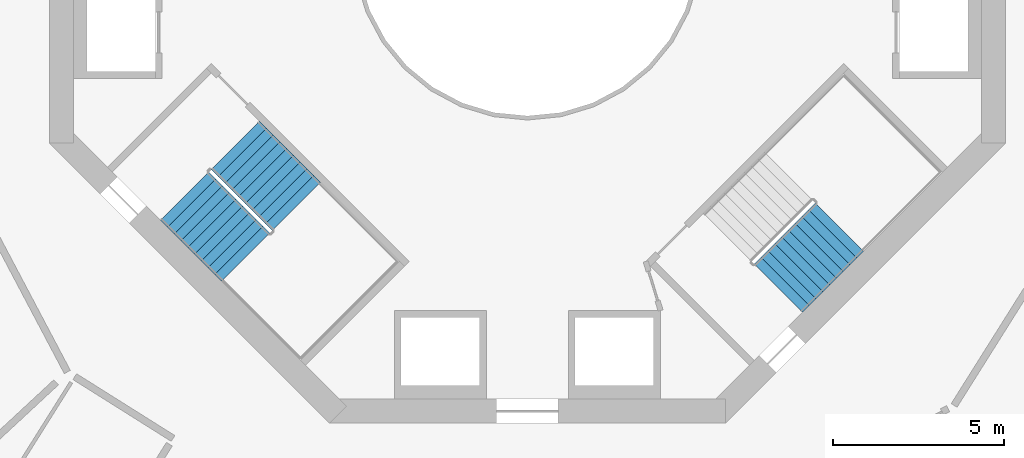
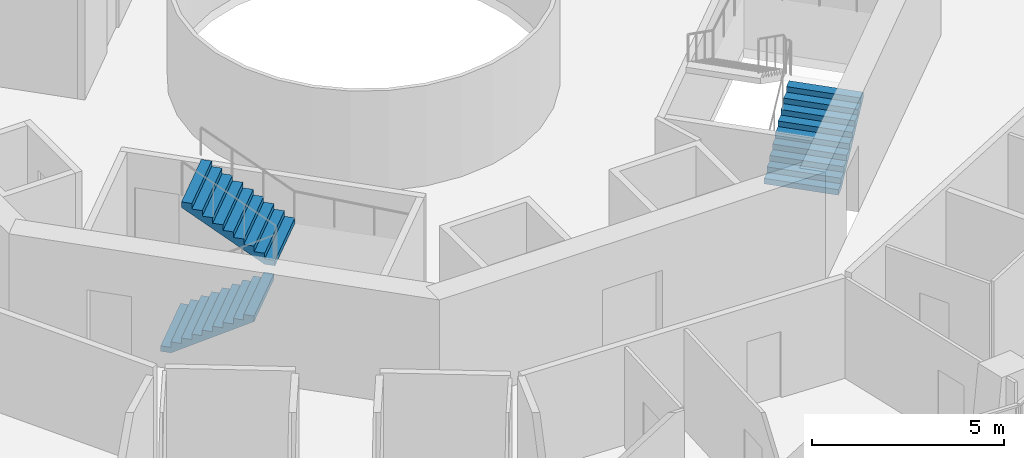
# One storey, part 21 of 23: 3 stair flights, 2 elements without a shape of their own.
"""IFC4 building model written with IfcOpenShell, lengths in metres."""

from ifc_helpers import new_model, si_unit, direction, frame, origin, place, context, subcontext, project, spatial, triangles, material, type_object, element, aggregate, save


model = new_model("IFC4")

# Units and contexts
model_context = context("Model", 3, precision=1e-05, world=origin(), true_north=direction((0.0, 1.0)))
body_context = subcontext(model_context, "Body", "Model", "MODEL_VIEW")
ifc_project = project(units=[si_unit("LENGTHUNIT", "METRE"), si_unit("AREAUNIT", "SQUARE_METRE"), si_unit("VOLUMEUNIT", "CUBIC_METRE"), si_unit("PLANEANGLEUNIT", "RADIAN"), si_unit("MASSUNIT", "GRAM", prefix="KILO")], contexts=[model_context])

# Site, building, storey
site_placement = place(None, origin())
site = spatial("IfcSite", under=ifc_project, at=site_placement, CompositionType="ELEMENT")
building_placement = place(site_placement, origin())
building = spatial("IfcBuilding", under=site, at=building_placement, Name="Verdalira Terraces Hotel", CompositionType="ELEMENT")
storey_placement = place(building_placement, frame((0.0, 0.0, 147.0)))
storey = spatial("IfcBuildingStorey", under=building, at=storey_placement, Name="L35", CompositionType="ELEMENT", Elevation=147.0)

# Stair, stair flights
ifc_material_1 = material(Name="Concrete C40", Category="concrete")
stair_type = type_object("IfcStairType", Name="Core stair 20 risers 2000 mm wide", PredefinedType="HALF_TURN_STAIR", material=ifc_material_1)
stair_1_placement = place(storey_placement, origin())
stair_1 = element("IfcStair", 1, at=stair_1_placement, inside=storey, type_object=stair_type, Name="L35 Exit stair ST2", PredefinedType="HALF_TURN_STAIR")
ifc_material_2 = material(Name="Concrete C40", Category="concrete")
stair_flight_type = type_object("IfcStairFlightType", Name="Core stair flight 20 risers 2000 mm wide", PredefinedType="STRAIGHT", material=ifc_material_2)
stair_flight_1_placement = place(storey_placement, frame((-10.041016, -7.354004, 0.0), z_axis=(0.0, 0.0, 1.0), x_axis=(0.707106781, -0.707106781, 0.0)))
stair_flight_1 = element("IfcStairFlight", 2, at=stair_flight_1_placement, type_object=stair_flight_type, Name="ST2 flight 1", NumberOfRisers=10, NumberOfTreads=9, PredefinedType="STRAIGHT", RiserHeight=0.175, TreadLength=0.28, context=body_context, shape_type="Tessellation", body=[
    triangles([(0.0, 1.0, 0.0), (0.282715, 1.0, 0.0), (2.52002, 1.0, 1.398193), (0.0, -1.0, 0.0), (0.282715, -1.0, 0.0), (2.52002, -1.0, 1.398193), (2.52002, 1.0, 1.574951), (2.23999, 1.0, 1.574951), (2.52002, -1.0, 1.574951), (2.23999, -1.0, 1.574951), (2.23999, 1.0, 1.399902), (2.23999, -1.0, 1.399902), (1.959961, 1.0, 1.399902), (1.959961, -1.0, 1.399902), (1.959961, 1.0, 1.225098), (1.959961, -1.0, 1.225098), (1.679932, 1.0, 1.225098), (1.679932, 1.0, 1.050049), (1.679932, -1.0, 1.225098), (1.679932, -1.0, 1.050049), (1.399902, 1.0, 1.050049), (1.399902, 1.0, 0.875), (1.399902, -1.0, 1.050049), (1.399902, -1.0, 0.875), (1.120117, 1.0, 0.875), (1.120117, 1.0, 0.699951), (1.120117, -1.0, 0.875), (1.120117, -1.0, 0.699951), (0.840088, 1.0, 0.699951), (0.840088, 1.0, 0.524902), (0.840088, -1.0, 0.699951), (0.840088, -1.0, 0.524902), (0.560059, 1.0, 0.524902), (0.560059, 1.0, 0.350098), (0.560059, -1.0, 0.524902), (0.560059, -1.0, 0.350098), (0.280029, 1.0, 0.350098), (0.280029, 1.0, 0.175049), (0.280029, -1.0, 0.350098), (0.280029, -1.0, 0.175049), (0.0, 1.0, 0.175049), (0.0, -1.0, 0.175049), (0.0, -0.9375, 0.0), (0.0, -0.9375, 0.175049), (0.0, -0.875, 0.0), (0.0, -0.875, 0.175049), (0.0, -0.8125, 0.0), (0.0, -0.8125, 0.175049), (0.0, -0.75, 0.0), (0.0, -0.75, 0.175049), (0.0, -0.6875, 0.0), (0.0, -0.6875, 0.175049), (0.0, -0.625, 0.0), (0.0, -0.625, 0.175049), (0.0, -0.5625, 0.0), (0.0, -0.5625, 0.175049), (0.0, -0.5, 0.0), (0.0, -0.5, 0.175049), (0.0, -0.4375, 0.0), (0.0, -0.4375, 0.175049), (0.0, -0.375, 0.0), (0.0, -0.375, 0.175049), (0.0, -0.3125, 0.0), (0.0, -0.3125, 0.175049), (0.0, -0.25, 0.0), (0.0, -0.25, 0.175049), (0.0, -0.1875, 0.0), (0.0, -0.1875, 0.175049), (0.0, -0.125, 0.0), (0.0, -0.125, 0.175049), (0.0, -0.0625, 0.0), (0.0, -0.0625, 0.175049), (0.0, 0.0, 0.0), (0.0, 0.0, 0.175049), (0.0, 0.0625, 0.0), (0.0, 0.0625, 0.175049), (0.0, 0.125, 0.0), (0.0, 0.125, 0.175049), (0.0, 0.1875, 0.0), (0.0, 0.1875, 0.175049), (0.0, 0.25, 0.0), (0.0, 0.25, 0.175049), (0.0, 0.3125, 0.0), (0.0, 0.3125, 0.175049), (0.0, 0.375, 0.0), (0.0, 0.375, 0.175049), (0.0, 0.4375, 0.0), (0.0, 0.4375, 0.175049), (0.0, 0.5, 0.0), (0.0, 0.5, 0.175049), (0.0, 0.5625, 0.0), (0.0, 0.5625, 0.175049), (0.0, 0.625, 0.0), (0.0, 0.625, 0.175049), (0.0, 0.6875, 0.0), (0.0, 0.6875, 0.175049), (0.0, 0.75, 0.0), (0.0, 0.75, 0.175049), (0.0, 0.8125, 0.0), (0.0, 0.8125, 0.175049), (0.0, 0.875, 0.0), (0.0, 0.875, 0.175049), (0.0, 0.9375, 0.0), (0.0, 0.9375, 0.175049), (2.52002, -0.9375, 1.574951), (2.52002, -0.875, 1.574951), (2.52002, -0.8125, 1.574951), (2.52002, -0.75, 1.574951), (2.52002, -0.6875, 1.574951), (2.52002, -0.625, 1.574951), (2.52002, -0.5625, 1.574951), (2.52002, -0.5, 1.574951), (2.52002, -0.4375, 1.574951), (2.52002, -0.375, 1.574951), (2.52002, -0.3125, 1.574951), (2.52002, -0.25, 1.574951), (2.52002, -0.1875, 1.574951), (2.52002, -0.125, 1.574951), (2.52002, -0.0625, 1.574951), (2.52002, 0.0, 1.574951), (2.52002, 0.0625, 1.574951), (2.52002, 0.125, 1.574951), (2.52002, 0.1875, 1.574951), (2.52002, 0.25, 1.574951), (2.52002, 0.3125, 1.574951), (2.52002, 0.375, 1.574951), (2.52002, 0.4375, 1.574951), (2.52002, 0.5, 1.574951), (2.52002, 0.5625, 1.574951), (2.52002, 0.625, 1.574951), (2.52002, 0.6875, 1.574951), (2.52002, 0.75, 1.574951), (2.52002, 0.8125, 1.574951), (2.52002, 0.875, 1.574951), (2.52002, 0.9375, 1.574951), (2.52002, -0.9375, 1.398193), (2.52002, -0.875, 1.398193), (2.52002, -0.8125, 1.398193), (2.52002, -0.75, 1.398193), (2.52002, -0.6875, 1.398193), (2.52002, -0.625, 1.398193), (2.52002, -0.5625, 1.398193), (2.52002, -0.5, 1.398193), (2.52002, -0.4375, 1.398193), (2.52002, -0.375, 1.398193), (2.52002, -0.3125, 1.398193), (2.52002, -0.25, 1.398193), (2.52002, -0.1875, 1.398193), (2.52002, -0.125, 1.398193), (2.52002, -0.0625, 1.398193), (2.52002, 0.0, 1.398193), (2.52002, 0.0625, 1.398193), (2.52002, 0.125, 1.398193), (2.52002, 0.1875, 1.398193), (2.52002, 0.25, 1.398193), (2.52002, 0.3125, 1.398193), (2.52002, 0.375, 1.398193), (2.52002, 0.4375, 1.398193), (2.52002, 0.5, 1.398193), (2.52002, 0.5625, 1.398193), (2.52002, 0.625, 1.398193), (2.52002, 0.6875, 1.398193), (2.52002, 0.75, 1.398193), (2.52002, 0.8125, 1.398193), (2.52002, 0.875, 1.398193), (2.52002, 0.9375, 1.398193)], [[1, 3, 2], [4, 5, 6], [3, 8, 7], [6, 9, 10], [3, 11, 8], [6, 10, 12], [3, 13, 11], [6, 12, 14], [3, 15, 13], [6, 14, 16], [15, 18, 17], [16, 19, 20], [3, 18, 15], [6, 16, 20], [18, 22, 21], [20, 23, 24], [3, 22, 18], [6, 20, 24], [22, 26, 25], [24, 27, 28], [3, 26, 22], [6, 24, 28], [26, 30, 29], [28, 31, 32], [3, 30, 26], [6, 28, 32], [1, 30, 3], [4, 6, 32], [30, 34, 33], [32, 35, 36], [34, 38, 37], [36, 39, 40], [30, 38, 34], [32, 36, 40], [1, 38, 30], [4, 32, 40], [38, 1, 41], [40, 42, 4], [4, 44, 43], [4, 42, 44], [43, 46, 45], [43, 44, 46], [45, 48, 47], [45, 46, 48], [47, 50, 49], [47, 48, 50], [49, 52, 51], [49, 50, 52], [51, 54, 53], [51, 52, 54], [53, 56, 55], [53, 54, 56], [55, 58, 57], [55, 56, 58], [57, 60, 59], [57, 58, 60], [59, 62, 61], [59, 60, 62], [61, 64, 63], [61, 62, 64], [63, 66, 65], [63, 64, 66], [65, 68, 67], [65, 66, 68], [67, 70, 69], [67, 68, 70], [69, 72, 71], [69, 70, 72], [71, 74, 73], [71, 72, 74], [73, 76, 75], [73, 74, 76], [75, 78, 77], [75, 76, 78], [77, 80, 79], [77, 78, 80], [79, 82, 81], [79, 80, 82], [81, 84, 83], [81, 82, 84], [83, 86, 85], [83, 84, 86], [85, 88, 87], [85, 86, 88], [87, 90, 89], [87, 88, 90], [89, 92, 91], [89, 90, 92], [91, 94, 93], [91, 92, 94], [93, 96, 95], [93, 94, 96], [95, 98, 97], [95, 96, 98], [97, 100, 99], [97, 98, 100], [99, 102, 101], [99, 100, 102], [101, 104, 103], [101, 102, 104], [103, 41, 1], [103, 104, 41], [42, 40, 44], [44, 40, 46], [46, 40, 48], [48, 40, 50], [50, 40, 52], [52, 40, 54], [54, 40, 56], [56, 40, 58], [58, 40, 60], [60, 40, 62], [62, 40, 64], [64, 40, 66], [66, 40, 68], [68, 40, 70], [70, 40, 72], [72, 40, 74], [74, 40, 76], [76, 40, 78], [78, 40, 80], [80, 40, 82], [82, 40, 84], [84, 40, 86], [86, 40, 88], [88, 40, 90], [90, 40, 92], [92, 40, 94], [94, 40, 96], [96, 40, 98], [98, 40, 100], [100, 40, 102], [102, 40, 104], [104, 40, 41], [41, 40, 38], [40, 37, 38], [40, 39, 37], [39, 34, 37], [39, 36, 34], [36, 33, 34], [36, 35, 33], [35, 30, 33], [35, 32, 30], [32, 29, 30], [32, 31, 29], [31, 26, 29], [31, 28, 26], [28, 25, 26], [28, 27, 25], [27, 22, 25], [27, 24, 22], [24, 21, 22], [24, 23, 21], [23, 18, 21], [23, 20, 18], [20, 17, 18], [20, 19, 17], [19, 15, 17], [19, 16, 15], [16, 13, 15], [16, 14, 13], [14, 11, 13], [14, 12, 11], [12, 8, 11], [12, 10, 8], [9, 105, 10], [105, 106, 10], [106, 107, 10], [107, 108, 10], [108, 109, 10], [109, 110, 10], [110, 111, 10], [111, 112, 10], [112, 113, 10], [113, 114, 10], [114, 115, 10], [115, 116, 10], [116, 117, 10], [117, 118, 10], [118, 119, 10], [119, 120, 10], [120, 121, 10], [121, 122, 10], [122, 123, 10], [123, 124, 10], [124, 125, 10], [125, 126, 10], [126, 127, 10], [127, 128, 10], [128, 129, 10], [129, 130, 10], [130, 131, 10], [131, 132, 10], [132, 133, 10], [133, 134, 10], [134, 135, 10], [135, 7, 10], [7, 8, 10], [9, 136, 105], [9, 6, 136], [105, 137, 106], [105, 136, 137], [106, 138, 107], [106, 137, 138], [107, 139, 108], [107, 138, 139], [108, 140, 109], [108, 139, 140], [109, 141, 110], [109, 140, 141], [110, 142, 111], [110, 141, 142], [111, 143, 112], [111, 142, 143], [112, 144, 113], [112, 143, 144], [113, 145, 114], [113, 144, 145], [114, 146, 115], [114, 145, 146], [115, 147, 116], [115, 146, 147], [116, 148, 117], [116, 147, 148], [117, 149, 118], [117, 148, 149], [118, 150, 119], [118, 149, 150], [119, 151, 120], [119, 150, 151], [120, 152, 121], [120, 151, 152], [121, 153, 122], [121, 152, 153], [122, 154, 123], [122, 153, 154], [123, 155, 124], [123, 154, 155], [124, 156, 125], [124, 155, 156], [125, 157, 126], [125, 156, 157], [126, 158, 127], [126, 157, 158], [127, 159, 128], [127, 158, 159], [128, 160, 129], [128, 159, 160], [129, 161, 130], [129, 160, 161], [130, 162, 131], [130, 161, 162], [131, 163, 132], [131, 162, 163], [132, 164, 133], [132, 163, 164], [133, 165, 134], [133, 164, 165], [134, 166, 135], [134, 165, 166], [135, 3, 7], [135, 166, 3], [6, 5, 136], [136, 5, 137], [137, 5, 138], [138, 5, 139], [139, 5, 140], [140, 5, 141], [141, 5, 142], [142, 5, 143], [143, 5, 144], [144, 5, 145], [145, 5, 146], [146, 5, 147], [147, 5, 148], [148, 5, 149], [149, 5, 150], [150, 5, 151], [151, 5, 152], [152, 5, 153], [153, 5, 154], [154, 5, 155], [155, 5, 156], [156, 5, 157], [157, 5, 158], [158, 5, 159], [159, 5, 160], [160, 5, 161], [161, 5, 162], [162, 5, 163], [163, 5, 164], [164, 5, 165], [165, 5, 166], [166, 5, 3], [3, 5, 2], [4, 43, 5], [43, 45, 5], [45, 47, 5], [47, 49, 5], [49, 51, 5], [51, 53, 5], [53, 55, 5], [55, 57, 5], [57, 59, 5], [59, 61, 5], [61, 63, 5], [63, 65, 5], [65, 67, 5], [67, 69, 5], [69, 71, 5], [71, 73, 5], [73, 75, 5], [75, 77, 5], [77, 79, 5], [79, 81, 5], [81, 83, 5], [83, 85, 5], [85, 87, 5], [87, 89, 5], [89, 91, 5], [91, 93, 5], [93, 95, 5], [95, 97, 5], [97, 99, 5], [99, 101, 5], [101, 103, 5], [103, 1, 5], [1, 2, 5]], closed=True),
])
stair_flight_2_placement = place(storey_placement, frame((-6.77417, -7.650879, 1.75), z_axis=(0.0, 0.0, 1.0), x_axis=(-0.707106781, 0.707106781, 0.0)))
stair_flight_2 = element("IfcStairFlight", 3, at=stair_flight_2_placement, type_object=stair_flight_type, Name="ST2 flight 2", NumberOfRisers=10, NumberOfTreads=9, PredefinedType="STRAIGHT", RiserHeight=0.175, TreadLength=0.28, context=body_context, shape_type="Tessellation", body=[
    triangles([(0.0, 1.0, 0.0), (0.282715, 1.0, 0.0), (2.52002, 1.0, 1.398193), (0.0, -1.0, 0.0), (0.282715, -1.0, 0.0), (2.52002, -1.0, 1.398193), (2.52002, 1.0, 1.574951), (2.23999, 1.0, 1.574951), (2.52002, -1.0, 1.574951), (2.23999, -1.0, 1.574951), (2.23999, 1.0, 1.399902), (2.23999, -1.0, 1.399902), (1.959961, 1.0, 1.399902), (1.959961, -1.0, 1.399902), (1.959961, 1.0, 1.225098), (1.959961, -1.0, 1.225098), (1.679932, 1.0, 1.225098), (1.679932, 1.0, 1.050049), (1.679932, -1.0, 1.225098), (1.679932, -1.0, 1.050049), (1.399902, 1.0, 1.050049), (1.399902, 1.0, 0.875), (1.399902, -1.0, 1.050049), (1.399902, -1.0, 0.875), (1.120117, 1.0, 0.875), (1.120117, 1.0, 0.699951), (1.120117, -1.0, 0.875), (1.120117, -1.0, 0.699951), (0.840088, 1.0, 0.699951), (0.840088, 1.0, 0.524902), (0.840088, -1.0, 0.699951), (0.840088, -1.0, 0.524902), (0.560059, 1.0, 0.524902), (0.560059, 1.0, 0.350098), (0.560059, -1.0, 0.524902), (0.560059, -1.0, 0.350098), (0.280029, 1.0, 0.350098), (0.280029, 1.0, 0.175049), (0.280029, -1.0, 0.350098), (0.280029, -1.0, 0.175049), (0.0, 1.0, 0.175049), (0.0, -1.0, 0.175049), (0.0, -0.9375, 0.0), (0.0, -0.9375, 0.175049), (0.0, -0.875, 0.0), (0.0, -0.875, 0.175049), (0.0, -0.8125, 0.0), (0.0, -0.8125, 0.175049), (0.0, -0.75, 0.0), (0.0, -0.75, 0.175049), (0.0, -0.6875, 0.0), (0.0, -0.6875, 0.175049), (0.0, -0.625, 0.0), (0.0, -0.625, 0.175049), (0.0, -0.5625, 0.0), (0.0, -0.5625, 0.175049), (0.0, -0.5, 0.0), (0.0, -0.5, 0.175049), (0.0, -0.4375, 0.0), (0.0, -0.4375, 0.175049), (0.0, -0.375, 0.0), (0.0, -0.375, 0.175049), (0.0, -0.3125, 0.0), (0.0, -0.3125, 0.175049), (0.0, -0.25, 0.0), (0.0, -0.25, 0.175049), (0.0, -0.1875, 0.0), (0.0, -0.1875, 0.175049), (0.0, -0.125, 0.0), (0.0, -0.125, 0.175049), (0.0, -0.0625, 0.0), (0.0, -0.0625, 0.175049), (0.0, 0.0, 0.0), (0.0, 0.0, 0.175049), (0.0, 0.0625, 0.0), (0.0, 0.0625, 0.175049), (0.0, 0.125, 0.0), (0.0, 0.125, 0.175049), (0.0, 0.1875, 0.0), (0.0, 0.1875, 0.175049), (0.0, 0.25, 0.0), (0.0, 0.25, 0.175049), (0.0, 0.3125, 0.0), (0.0, 0.3125, 0.175049), (0.0, 0.375, 0.0), (0.0, 0.375, 0.175049), (0.0, 0.4375, 0.0), (0.0, 0.4375, 0.175049), (0.0, 0.5, 0.0), (0.0, 0.5, 0.175049), (0.0, 0.5625, 0.0), (0.0, 0.5625, 0.175049), (0.0, 0.625, 0.0), (0.0, 0.625, 0.175049), (0.0, 0.6875, 0.0), (0.0, 0.6875, 0.175049), (0.0, 0.75, 0.0), (0.0, 0.75, 0.175049), (0.0, 0.8125, 0.0), (0.0, 0.8125, 0.175049), (0.0, 0.875, 0.0), (0.0, 0.875, 0.175049), (0.0, 0.9375, 0.0), (0.0, 0.9375, 0.175049), (2.52002, -0.9375, 1.574951), (2.52002, -0.875, 1.574951), (2.52002, -0.8125, 1.574951), (2.52002, -0.75, 1.574951), (2.52002, -0.6875, 1.574951), (2.52002, -0.625, 1.574951), (2.52002, -0.5625, 1.574951), (2.52002, -0.5, 1.574951), (2.52002, -0.4375, 1.574951), (2.52002, -0.375, 1.574951), (2.52002, -0.3125, 1.574951), (2.52002, -0.25, 1.574951), (2.52002, -0.1875, 1.574951), (2.52002, -0.125, 1.574951), (2.52002, -0.0625, 1.574951), (2.52002, 0.0, 1.574951), (2.52002, 0.0625, 1.574951), (2.52002, 0.125, 1.574951), (2.52002, 0.1875, 1.574951), (2.52002, 0.25, 1.574951), (2.52002, 0.3125, 1.574951), (2.52002, 0.375, 1.574951), (2.52002, 0.4375, 1.574951), (2.52002, 0.5, 1.574951), (2.52002, 0.5625, 1.574951), (2.52002, 0.625, 1.574951), (2.52002, 0.6875, 1.574951), (2.52002, 0.75, 1.574951), (2.52002, 0.8125, 1.574951), (2.52002, 0.875, 1.574951), (2.52002, 0.9375, 1.574951), (2.52002, -0.9375, 1.398193), (2.52002, -0.875, 1.398193), (2.52002, -0.8125, 1.398193), (2.52002, -0.75, 1.398193), (2.52002, -0.6875, 1.398193), (2.52002, -0.625, 1.398193), (2.52002, -0.5625, 1.398193), (2.52002, -0.5, 1.398193), (2.52002, -0.4375, 1.398193), (2.52002, -0.375, 1.398193), (2.52002, -0.3125, 1.398193), (2.52002, -0.25, 1.398193), (2.52002, -0.1875, 1.398193), (2.52002, -0.125, 1.398193), (2.52002, -0.0625, 1.398193), (2.52002, 0.0, 1.398193), (2.52002, 0.0625, 1.398193), (2.52002, 0.125, 1.398193), (2.52002, 0.1875, 1.398193), (2.52002, 0.25, 1.398193), (2.52002, 0.3125, 1.398193), (2.52002, 0.375, 1.398193), (2.52002, 0.4375, 1.398193), (2.52002, 0.5, 1.398193), (2.52002, 0.5625, 1.398193), (2.52002, 0.625, 1.398193), (2.52002, 0.6875, 1.398193), (2.52002, 0.75, 1.398193), (2.52002, 0.8125, 1.398193), (2.52002, 0.875, 1.398193), (2.52002, 0.9375, 1.398193)], [[1, 3, 2], [4, 5, 6], [3, 8, 7], [6, 9, 10], [3, 11, 8], [6, 10, 12], [3, 13, 11], [6, 12, 14], [3, 15, 13], [6, 14, 16], [15, 18, 17], [16, 19, 20], [3, 18, 15], [6, 16, 20], [18, 22, 21], [20, 23, 24], [3, 22, 18], [6, 20, 24], [22, 26, 25], [24, 27, 28], [3, 26, 22], [6, 24, 28], [26, 30, 29], [28, 31, 32], [3, 30, 26], [6, 28, 32], [1, 30, 3], [4, 6, 32], [30, 34, 33], [32, 35, 36], [34, 38, 37], [36, 39, 40], [30, 38, 34], [32, 36, 40], [1, 38, 30], [4, 32, 40], [38, 1, 41], [40, 42, 4], [4, 44, 43], [4, 42, 44], [43, 46, 45], [43, 44, 46], [45, 48, 47], [45, 46, 48], [47, 50, 49], [47, 48, 50], [49, 52, 51], [49, 50, 52], [51, 54, 53], [51, 52, 54], [53, 56, 55], [53, 54, 56], [55, 58, 57], [55, 56, 58], [57, 60, 59], [57, 58, 60], [59, 62, 61], [59, 60, 62], [61, 64, 63], [61, 62, 64], [63, 66, 65], [63, 64, 66], [65, 68, 67], [65, 66, 68], [67, 70, 69], [67, 68, 70], [69, 72, 71], [69, 70, 72], [71, 74, 73], [71, 72, 74], [73, 76, 75], [73, 74, 76], [75, 78, 77], [75, 76, 78], [77, 80, 79], [77, 78, 80], [79, 82, 81], [79, 80, 82], [81, 84, 83], [81, 82, 84], [83, 86, 85], [83, 84, 86], [85, 88, 87], [85, 86, 88], [87, 90, 89], [87, 88, 90], [89, 92, 91], [89, 90, 92], [91, 94, 93], [91, 92, 94], [93, 96, 95], [93, 94, 96], [95, 98, 97], [95, 96, 98], [97, 100, 99], [97, 98, 100], [99, 102, 101], [99, 100, 102], [101, 104, 103], [101, 102, 104], [103, 41, 1], [103, 104, 41], [42, 40, 44], [44, 40, 46], [46, 40, 48], [48, 40, 50], [50, 40, 52], [52, 40, 54], [54, 40, 56], [56, 40, 58], [58, 40, 60], [60, 40, 62], [62, 40, 64], [64, 40, 66], [66, 40, 68], [68, 40, 70], [70, 40, 72], [72, 40, 74], [74, 40, 76], [76, 40, 78], [78, 40, 80], [80, 40, 82], [82, 40, 84], [84, 40, 86], [86, 40, 88], [88, 40, 90], [90, 40, 92], [92, 40, 94], [94, 40, 96], [96, 40, 98], [98, 40, 100], [100, 40, 102], [102, 40, 104], [104, 40, 41], [41, 40, 38], [40, 37, 38], [40, 39, 37], [39, 34, 37], [39, 36, 34], [36, 33, 34], [36, 35, 33], [35, 30, 33], [35, 32, 30], [32, 29, 30], [32, 31, 29], [31, 26, 29], [31, 28, 26], [28, 25, 26], [28, 27, 25], [27, 22, 25], [27, 24, 22], [24, 21, 22], [24, 23, 21], [23, 18, 21], [23, 20, 18], [20, 17, 18], [20, 19, 17], [19, 15, 17], [19, 16, 15], [16, 13, 15], [16, 14, 13], [14, 11, 13], [14, 12, 11], [12, 8, 11], [12, 10, 8], [9, 105, 10], [105, 106, 10], [106, 107, 10], [107, 108, 10], [108, 109, 10], [109, 110, 10], [110, 111, 10], [111, 112, 10], [112, 113, 10], [113, 114, 10], [114, 115, 10], [115, 116, 10], [116, 117, 10], [117, 118, 10], [118, 119, 10], [119, 120, 10], [120, 121, 10], [121, 122, 10], [122, 123, 10], [123, 124, 10], [124, 125, 10], [125, 126, 10], [126, 127, 10], [127, 128, 10], [128, 129, 10], [129, 130, 10], [130, 131, 10], [131, 132, 10], [132, 133, 10], [133, 134, 10], [134, 135, 10], [135, 7, 10], [7, 8, 10], [9, 136, 105], [9, 6, 136], [105, 137, 106], [105, 136, 137], [106, 138, 107], [106, 137, 138], [107, 139, 108], [107, 138, 139], [108, 140, 109], [108, 139, 140], [109, 141, 110], [109, 140, 141], [110, 142, 111], [110, 141, 142], [111, 143, 112], [111, 142, 143], [112, 144, 113], [112, 143, 144], [113, 145, 114], [113, 144, 145], [114, 146, 115], [114, 145, 146], [115, 147, 116], [115, 146, 147], [116, 148, 117], [116, 147, 148], [117, 149, 118], [117, 148, 149], [118, 150, 119], [118, 149, 150], [119, 151, 120], [119, 150, 151], [120, 152, 121], [120, 151, 152], [121, 153, 122], [121, 152, 153], [122, 154, 123], [122, 153, 154], [123, 155, 124], [123, 154, 155], [124, 156, 125], [124, 155, 156], [125, 157, 126], [125, 156, 157], [126, 158, 127], [126, 157, 158], [127, 159, 128], [127, 158, 159], [128, 160, 129], [128, 159, 160], [129, 161, 130], [129, 160, 161], [130, 162, 131], [130, 161, 162], [131, 163, 132], [131, 162, 163], [132, 164, 133], [132, 163, 164], [133, 165, 134], [133, 164, 165], [134, 166, 135], [134, 165, 166], [135, 3, 7], [135, 166, 3], [6, 5, 136], [136, 5, 137], [137, 5, 138], [138, 5, 139], [139, 5, 140], [140, 5, 141], [141, 5, 142], [142, 5, 143], [143, 5, 144], [144, 5, 145], [145, 5, 146], [146, 5, 147], [147, 5, 148], [148, 5, 149], [149, 5, 150], [150, 5, 151], [151, 5, 152], [152, 5, 153], [153, 5, 154], [154, 5, 155], [155, 5, 156], [156, 5, 157], [157, 5, 158], [158, 5, 159], [159, 5, 160], [160, 5, 161], [161, 5, 162], [162, 5, 163], [163, 5, 164], [164, 5, 165], [165, 5, 166], [166, 5, 3], [3, 5, 2], [4, 43, 5], [43, 45, 5], [45, 47, 5], [47, 49, 5], [49, 51, 5], [51, 53, 5], [53, 55, 5], [55, 57, 5], [57, 59, 5], [59, 61, 5], [61, 63, 5], [63, 65, 5], [65, 67, 5], [67, 69, 5], [69, 71, 5], [71, 73, 5], [73, 75, 5], [75, 77, 5], [77, 79, 5], [79, 81, 5], [81, 83, 5], [83, 85, 5], [85, 87, 5], [87, 89, 5], [89, 91, 5], [91, 93, 5], [93, 95, 5], [95, 97, 5], [97, 99, 5], [99, 101, 5], [101, 103, 5], [103, 1, 5], [1, 2, 5]], closed=True),
])
aggregate(stair_1, [stair_flight_1, stair_flight_2])

# Stair, stair flight
stair_2_placement = place(storey_placement, origin())
stair_2 = element("IfcStair", 4, at=stair_2_placement, inside=storey, type_object=stair_type, Name="L35 Exit stair ST3", PredefinedType="HALF_TURN_STAIR")
stair_flight_3_placement = place(storey_placement, frame((7.354004, -10.041016, 0.0), z_axis=(0.0, 0.0, 1.0), x_axis=(0.707106781, 0.707106781, 0.0)))
stair_flight_3 = element("IfcStairFlight", 5, at=stair_flight_3_placement, type_object=stair_flight_type, Name="ST3 flight 1", NumberOfRisers=10, NumberOfTreads=9, PredefinedType="STRAIGHT", RiserHeight=0.175, TreadLength=0.28, context=body_context, shape_type="Tessellation", body=[
    triangles([(0.0, 1.0, 0.0), (0.282715, 1.0, 0.0), (2.52002, 1.0, 1.398193), (0.0, -1.0, 0.0), (0.282715, -1.0, 0.0), (2.52002, -1.0, 1.398193), (2.52002, 1.0, 1.574951), (2.23999, 1.0, 1.574951), (2.52002, -1.0, 1.574951), (2.23999, -1.0, 1.574951), (2.23999, 1.0, 1.399902), (2.23999, -1.0, 1.399902), (1.959961, 1.0, 1.399902), (1.959961, -1.0, 1.399902), (1.959961, 1.0, 1.225098), (1.959961, -1.0, 1.225098), (1.679932, 1.0, 1.225098), (1.679932, 1.0, 1.050049), (1.679932, -1.0, 1.225098), (1.679932, -1.0, 1.050049), (1.399902, 1.0, 1.050049), (1.399902, 1.0, 0.875), (1.399902, -1.0, 1.050049), (1.399902, -1.0, 0.875), (1.120117, 1.0, 0.875), (1.120117, 1.0, 0.699951), (1.120117, -1.0, 0.875), (1.120117, -1.0, 0.699951), (0.840088, 1.0, 0.699951), (0.840088, 1.0, 0.524902), (0.840088, -1.0, 0.699951), (0.840088, -1.0, 0.524902), (0.560059, 1.0, 0.524902), (0.560059, 1.0, 0.350098), (0.560059, -1.0, 0.524902), (0.560059, -1.0, 0.350098), (0.280029, 1.0, 0.350098), (0.280029, 1.0, 0.175049), (0.280029, -1.0, 0.350098), (0.280029, -1.0, 0.175049), (0.0, 1.0, 0.175049), (0.0, -1.0, 0.175049), (0.0, -0.9375, 0.0), (0.0, -0.9375, 0.175049), (0.0, -0.875, 0.0), (0.0, -0.875, 0.175049), (0.0, -0.8125, 0.0), (0.0, -0.8125, 0.175049), (0.0, -0.75, 0.0), (0.0, -0.75, 0.175049), (0.0, -0.6875, 0.0), (0.0, -0.6875, 0.175049), (0.0, -0.625, 0.0), (0.0, -0.625, 0.175049), (0.0, -0.5625, 0.0), (0.0, -0.5625, 0.175049), (0.0, -0.5, 0.0), (0.0, -0.5, 0.175049), (0.0, -0.4375, 0.0), (0.0, -0.4375, 0.175049), (0.0, -0.375, 0.0), (0.0, -0.375, 0.175049), (0.0, -0.3125, 0.0), (0.0, -0.3125, 0.175049), (0.0, -0.25, 0.0), (0.0, -0.25, 0.175049), (0.0, -0.1875, 0.0), (0.0, -0.1875, 0.175049), (0.0, -0.125, 0.0), (0.0, -0.125, 0.175049), (0.0, -0.0625, 0.0), (0.0, -0.0625, 0.175049), (0.0, 0.0, 0.0), (0.0, 0.0, 0.175049), (0.0, 0.0625, 0.0), (0.0, 0.0625, 0.175049), (0.0, 0.125, 0.0), (0.0, 0.125, 0.175049), (0.0, 0.1875, 0.0), (0.0, 0.1875, 0.175049), (0.0, 0.25, 0.0), (0.0, 0.25, 0.175049), (0.0, 0.3125, 0.0), (0.0, 0.3125, 0.175049), (0.0, 0.375, 0.0), (0.0, 0.375, 0.175049), (0.0, 0.4375, 0.0), (0.0, 0.4375, 0.175049), (0.0, 0.5, 0.0), (0.0, 0.5, 0.175049), (0.0, 0.5625, 0.0), (0.0, 0.5625, 0.175049), (0.0, 0.625, 0.0), (0.0, 0.625, 0.175049), (0.0, 0.6875, 0.0), (0.0, 0.6875, 0.175049), (0.0, 0.75, 0.0), (0.0, 0.75, 0.175049), (0.0, 0.8125, 0.0), (0.0, 0.8125, 0.175049), (0.0, 0.875, 0.0), (0.0, 0.875, 0.175049), (0.0, 0.9375, 0.0), (0.0, 0.9375, 0.175049), (2.52002, -0.9375, 1.574951), (2.52002, -0.875, 1.574951), (2.52002, -0.8125, 1.574951), (2.52002, -0.75, 1.574951), (2.52002, -0.6875, 1.574951), (2.52002, -0.625, 1.574951), (2.52002, -0.5625, 1.574951), (2.52002, -0.5, 1.574951), (2.52002, -0.4375, 1.574951), (2.52002, -0.375, 1.574951), (2.52002, -0.3125, 1.574951), (2.52002, -0.25, 1.574951), (2.52002, -0.1875, 1.574951), (2.52002, -0.125, 1.574951), (2.52002, -0.0625, 1.574951), (2.52002, 0.0, 1.574951), (2.52002, 0.0625, 1.574951), (2.52002, 0.125, 1.574951), (2.52002, 0.1875, 1.574951), (2.52002, 0.25, 1.574951), (2.52002, 0.3125, 1.574951), (2.52002, 0.375, 1.574951), (2.52002, 0.4375, 1.574951), (2.52002, 0.5, 1.574951), (2.52002, 0.5625, 1.574951), (2.52002, 0.625, 1.574951), (2.52002, 0.6875, 1.574951), (2.52002, 0.75, 1.574951), (2.52002, 0.8125, 1.574951), (2.52002, 0.875, 1.574951), (2.52002, 0.9375, 1.574951), (2.52002, -0.9375, 1.398193), (2.52002, -0.875, 1.398193), (2.52002, -0.8125, 1.398193), (2.52002, -0.75, 1.398193), (2.52002, -0.6875, 1.398193), (2.52002, -0.625, 1.398193), (2.52002, -0.5625, 1.398193), (2.52002, -0.5, 1.398193), (2.52002, -0.4375, 1.398193), (2.52002, -0.375, 1.398193), (2.52002, -0.3125, 1.398193), (2.52002, -0.25, 1.398193), (2.52002, -0.1875, 1.398193), (2.52002, -0.125, 1.398193), (2.52002, -0.0625, 1.398193), (2.52002, 0.0, 1.398193), (2.52002, 0.0625, 1.398193), (2.52002, 0.125, 1.398193), (2.52002, 0.1875, 1.398193), (2.52002, 0.25, 1.398193), (2.52002, 0.3125, 1.398193), (2.52002, 0.375, 1.398193), (2.52002, 0.4375, 1.398193), (2.52002, 0.5, 1.398193), (2.52002, 0.5625, 1.398193), (2.52002, 0.625, 1.398193), (2.52002, 0.6875, 1.398193), (2.52002, 0.75, 1.398193), (2.52002, 0.8125, 1.398193), (2.52002, 0.875, 1.398193), (2.52002, 0.9375, 1.398193)], [[1, 3, 2], [4, 5, 6], [3, 8, 7], [6, 9, 10], [3, 11, 8], [6, 10, 12], [3, 13, 11], [6, 12, 14], [3, 15, 13], [6, 14, 16], [15, 18, 17], [16, 19, 20], [3, 18, 15], [6, 16, 20], [18, 22, 21], [20, 23, 24], [3, 22, 18], [6, 20, 24], [22, 26, 25], [24, 27, 28], [3, 26, 22], [6, 24, 28], [26, 30, 29], [28, 31, 32], [3, 30, 26], [6, 28, 32], [1, 30, 3], [4, 6, 32], [30, 34, 33], [32, 35, 36], [34, 38, 37], [36, 39, 40], [30, 38, 34], [32, 36, 40], [1, 38, 30], [4, 32, 40], [38, 1, 41], [40, 42, 4], [4, 44, 43], [4, 42, 44], [43, 46, 45], [43, 44, 46], [45, 48, 47], [45, 46, 48], [47, 50, 49], [47, 48, 50], [49, 52, 51], [49, 50, 52], [51, 54, 53], [51, 52, 54], [53, 56, 55], [53, 54, 56], [55, 58, 57], [55, 56, 58], [57, 60, 59], [57, 58, 60], [59, 62, 61], [59, 60, 62], [61, 64, 63], [61, 62, 64], [63, 66, 65], [63, 64, 66], [65, 68, 67], [65, 66, 68], [67, 70, 69], [67, 68, 70], [69, 72, 71], [69, 70, 72], [71, 74, 73], [71, 72, 74], [73, 76, 75], [73, 74, 76], [75, 78, 77], [75, 76, 78], [77, 80, 79], [77, 78, 80], [79, 82, 81], [79, 80, 82], [81, 84, 83], [81, 82, 84], [83, 86, 85], [83, 84, 86], [85, 88, 87], [85, 86, 88], [87, 90, 89], [87, 88, 90], [89, 92, 91], [89, 90, 92], [91, 94, 93], [91, 92, 94], [93, 96, 95], [93, 94, 96], [95, 98, 97], [95, 96, 98], [97, 100, 99], [97, 98, 100], [99, 102, 101], [99, 100, 102], [101, 104, 103], [101, 102, 104], [103, 41, 1], [103, 104, 41], [42, 40, 44], [44, 40, 46], [46, 40, 48], [48, 40, 50], [50, 40, 52], [52, 40, 54], [54, 40, 56], [56, 40, 58], [58, 40, 60], [60, 40, 62], [62, 40, 64], [64, 40, 66], [66, 40, 68], [68, 40, 70], [70, 40, 72], [72, 40, 74], [74, 40, 76], [76, 40, 78], [78, 40, 80], [80, 40, 82], [82, 40, 84], [84, 40, 86], [86, 40, 88], [88, 40, 90], [90, 40, 92], [92, 40, 94], [94, 40, 96], [96, 40, 98], [98, 40, 100], [100, 40, 102], [102, 40, 104], [104, 40, 41], [41, 40, 38], [40, 37, 38], [40, 39, 37], [39, 34, 37], [39, 36, 34], [36, 33, 34], [36, 35, 33], [35, 30, 33], [35, 32, 30], [32, 29, 30], [32, 31, 29], [31, 26, 29], [31, 28, 26], [28, 25, 26], [28, 27, 25], [27, 22, 25], [27, 24, 22], [24, 21, 22], [24, 23, 21], [23, 18, 21], [23, 20, 18], [20, 17, 18], [20, 19, 17], [19, 15, 17], [19, 16, 15], [16, 13, 15], [16, 14, 13], [14, 11, 13], [14, 12, 11], [12, 8, 11], [12, 10, 8], [9, 105, 10], [105, 106, 10], [106, 107, 10], [107, 108, 10], [108, 109, 10], [109, 110, 10], [110, 111, 10], [111, 112, 10], [112, 113, 10], [113, 114, 10], [114, 115, 10], [115, 116, 10], [116, 117, 10], [117, 118, 10], [118, 119, 10], [119, 120, 10], [120, 121, 10], [121, 122, 10], [122, 123, 10], [123, 124, 10], [124, 125, 10], [125, 126, 10], [126, 127, 10], [127, 128, 10], [128, 129, 10], [129, 130, 10], [130, 131, 10], [131, 132, 10], [132, 133, 10], [133, 134, 10], [134, 135, 10], [135, 7, 10], [7, 8, 10], [9, 136, 105], [9, 6, 136], [105, 137, 106], [105, 136, 137], [106, 138, 107], [106, 137, 138], [107, 139, 108], [107, 138, 139], [108, 140, 109], [108, 139, 140], [109, 141, 110], [109, 140, 141], [110, 142, 111], [110, 141, 142], [111, 143, 112], [111, 142, 143], [112, 144, 113], [112, 143, 144], [113, 145, 114], [113, 144, 145], [114, 146, 115], [114, 145, 146], [115, 147, 116], [115, 146, 147], [116, 148, 117], [116, 147, 148], [117, 149, 118], [117, 148, 149], [118, 150, 119], [118, 149, 150], [119, 151, 120], [119, 150, 151], [120, 152, 121], [120, 151, 152], [121, 153, 122], [121, 152, 153], [122, 154, 123], [122, 153, 154], [123, 155, 124], [123, 154, 155], [124, 156, 125], [124, 155, 156], [125, 157, 126], [125, 156, 157], [126, 158, 127], [126, 157, 158], [127, 159, 128], [127, 158, 159], [128, 160, 129], [128, 159, 160], [129, 161, 130], [129, 160, 161], [130, 162, 131], [130, 161, 162], [131, 163, 132], [131, 162, 163], [132, 164, 133], [132, 163, 164], [133, 165, 134], [133, 164, 165], [134, 166, 135], [134, 165, 166], [135, 3, 7], [135, 166, 3], [6, 5, 136], [136, 5, 137], [137, 5, 138], [138, 5, 139], [139, 5, 140], [140, 5, 141], [141, 5, 142], [142, 5, 143], [143, 5, 144], [144, 5, 145], [145, 5, 146], [146, 5, 147], [147, 5, 148], [148, 5, 149], [149, 5, 150], [150, 5, 151], [151, 5, 152], [152, 5, 153], [153, 5, 154], [154, 5, 155], [155, 5, 156], [156, 5, 157], [157, 5, 158], [158, 5, 159], [159, 5, 160], [160, 5, 161], [161, 5, 162], [162, 5, 163], [163, 5, 164], [164, 5, 165], [165, 5, 166], [166, 5, 3], [3, 5, 2], [4, 43, 5], [43, 45, 5], [45, 47, 5], [47, 49, 5], [49, 51, 5], [51, 53, 5], [53, 55, 5], [55, 57, 5], [57, 59, 5], [59, 61, 5], [61, 63, 5], [63, 65, 5], [65, 67, 5], [67, 69, 5], [69, 71, 5], [71, 73, 5], [73, 75, 5], [75, 77, 5], [77, 79, 5], [79, 81, 5], [81, 83, 5], [83, 85, 5], [85, 87, 5], [87, 89, 5], [89, 91, 5], [91, 93, 5], [93, 95, 5], [95, 97, 5], [97, 99, 5], [99, 101, 5], [101, 103, 5], [103, 1, 5], [1, 2, 5]], closed=True),
])
aggregate(stair_2, [stair_flight_3])

save(model, "model.ifc")
